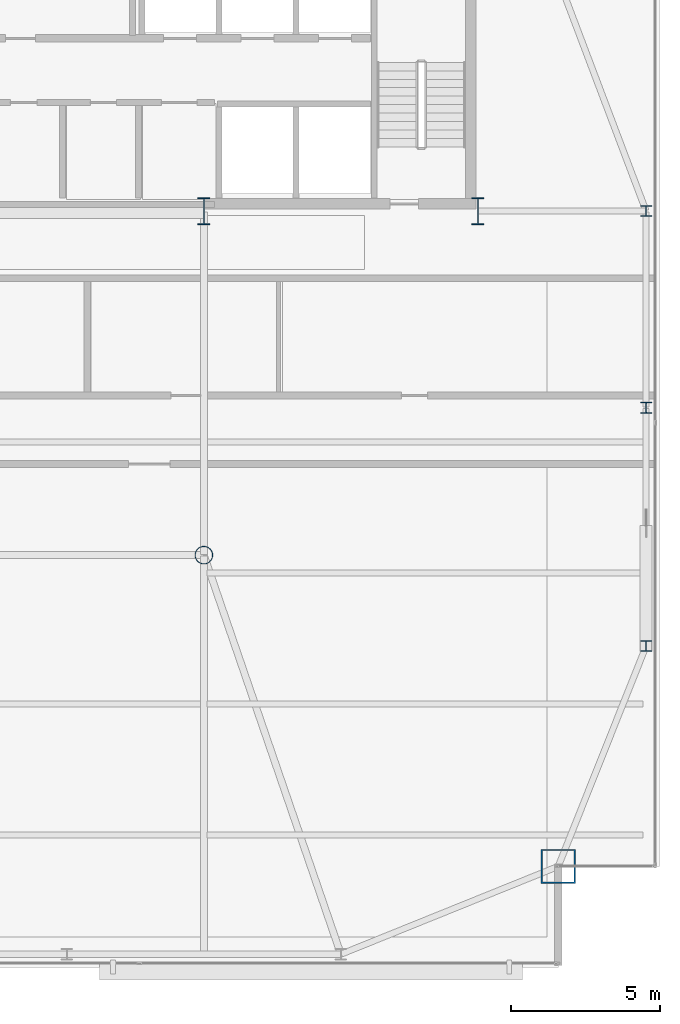
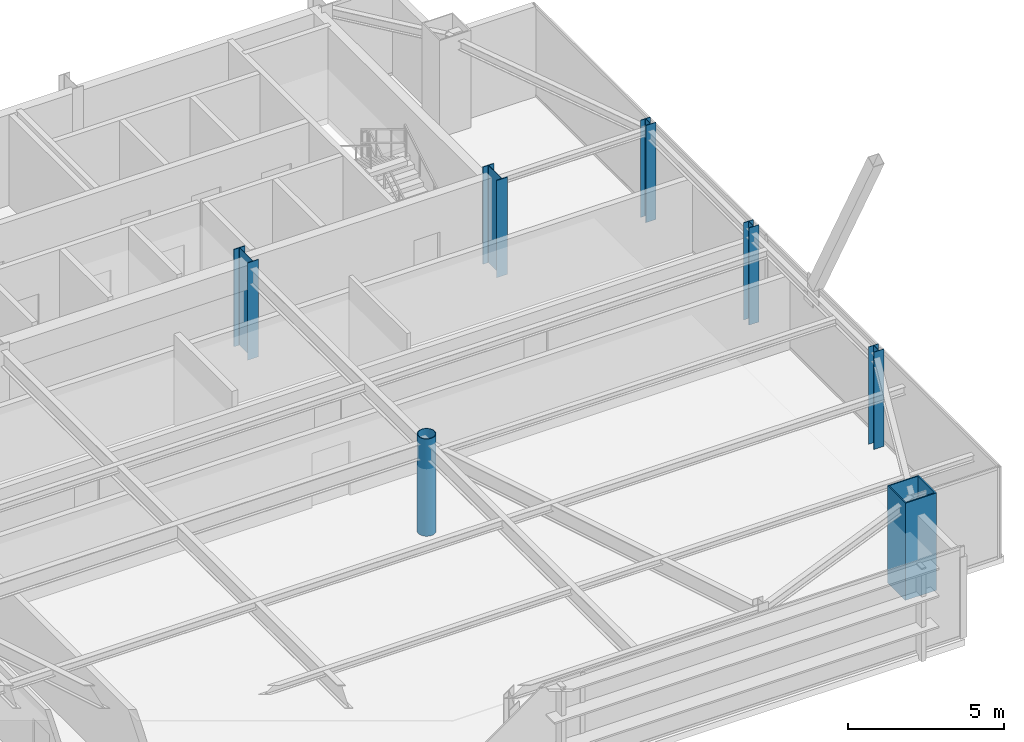
# One storey, part 2 of 26: 7 columns.
"""IFC4 building model written with IfcOpenShell, lengths in metres."""

from ifc_helpers import new_model, si_unit, direction, frame, origin, origin_2d, place, context, subcontext, project, spatial, hollow_rectangle, hollow_circle, i_section, extrude, source, transform, mapped, material, material_profile, profile_set, type_object, type_shapes, element, save


model = new_model("IFC4")

# Units and contexts
model_context = context("Model", 3, precision=1e-05, world=origin(), true_north=direction((0.0, 1.0)))
body_context = subcontext(model_context, "Body", "Model", "MODEL_VIEW")
ifc_project = project(units=[si_unit("LENGTHUNIT", "METRE"), si_unit("AREAUNIT", "SQUARE_METRE"), si_unit("VOLUMEUNIT", "CUBIC_METRE"), si_unit("PLANEANGLEUNIT", "RADIAN"), si_unit("MASSUNIT", "GRAM", prefix="KILO")], contexts=[model_context])

# Site, building, storey
site_placement = place(None, origin())
site = spatial("IfcSite", under=ifc_project, at=site_placement, CompositionType="ELEMENT")
building_placement = place(site_placement, origin())
building = spatial("IfcBuilding", under=site, at=building_placement, Name="Varnel Quay Broadcast Tower", CompositionType="ELEMENT")
storey_placement = place(building_placement, frame((0.0, 0.0, 218.800048828125)))
storey = spatial("IfcBuildingStorey", under=building, at=storey_placement, Name="L54", CompositionType="ELEMENT", Elevation=218.800048828125)

# Columns
ifc_material_1 = material(Name="Structural Steel CSA G40.21 350WT", Category="steel")
ifc_material_profile_1 = material_profile(ifc_material_1, i_section(OverallWidth=0.39990234375, OverallDepth=0.89990234375, WebThickness=0.01611328125, FlangeThickness=0.028076171875, FilletRadius=0.01611328125, at=origin_2d()), Name="WWF900X309")
ifc_profile_set_1 = profile_set([ifc_material_profile_1], Name="Structural Steel CSA G40.21 350WT")
column_type_1 = type_object("IfcColumnType", Name="Col_WWF900X309", PredefinedType="COLUMN", material=ifc_profile_set_1)
shared_shape_1 = source(origin(), body_context, "Body", "SweptSolid", [
    extrude(i_section(OverallWidth=0.39990234375, OverallDepth=0.89990234375, WebThickness=0.01611328125, FlangeThickness=0.028076171875, FilletRadius=0.01611328125, at=origin_2d()), origin(), (0.0, 0.0, 1.0), 3.800048828125),
])
type_shapes(column_type_1, [shared_shape_1])
for number, where, z_axis, x_axis, name in (
    (1, (43.199951171875, 35.60009765625, 0.0), (0.0, 0.0, 1.0), (1.0, 0.0, 0.0), "L54 Column CC-S4"),
    (2, (52.39990234375, 35.60009765625, 0.0), (0.0, 0.0, 1.0), (1.0, 0.0, 0.0), "L54 Column CC-S5"),
):
    element("IfcColumn", number, at=place(storey_placement, frame(where, z_axis=z_axis, x_axis=x_axis)), inside=storey, type_object=column_type_1, Name=name, PredefinedType="COLUMN", context=body_context, shape_type="MappedRepresentation", body=[
        mapped(shared_shape_1, transform((0.0, 0.0, 0.0), x_axis=(1.0, 0.0, 0.0), y_axis=(0.0, 1.0, 0.0), z_axis=(0.0, 0.0, 1.0), scale=1.0)),
    ])
ifc_material_profile_2 = material_profile(ifc_material_1, hollow_rectangle(XDim=1.14990234375, YDim=1.14990234375, WallThickness=0.044921875, at=origin_2d()), Name="BOX1150X1150X45")
ifc_profile_set_2 = profile_set([ifc_material_profile_2], Name="Structural Steel CSA G40.21 350WT")
column_type_2 = type_object("IfcColumnType", Name="Col_BOX1150X1150X45", PredefinedType="COLUMN", material=ifc_profile_set_2)
shared_shape_2 = source(origin(), body_context, "Body", "SweptSolid", [
    extrude(hollow_rectangle(XDim=1.14990234375, YDim=1.14990234375, WallThickness=0.044921875, at=origin_2d()), origin(), (0.0, 0.0, 1.0), 3.800048828125),
])
type_shapes(column_type_2, [shared_shape_2])
column_1_placement = place(storey_placement, frame((55.10009765625, 13.60009765625, 0.0), z_axis=(0.0, 0.0, 1.0), x_axis=(1.0, 0.0, 0.0)))
element("IfcColumn", 3, at=column_1_placement, inside=storey, type_object=column_type_2, Name="L54 Column MC-SE", PredefinedType="COLUMN", context=body_context, shape_type="MappedRepresentation", body=[
    mapped(shared_shape_2, transform((0.0, 0.0, 0.0), x_axis=(1.0, 0.0, 0.0), y_axis=(0.0, 1.0, 0.0), z_axis=(0.0, 0.0, 1.0), scale=1.0)),
])
ifc_material_2 = material(Name="Structural Steel CSA G40.21 350W", Category="steel")
ifc_material_profile_3 = material_profile(ifc_material_2, i_section(OverallWidth=0.368896484375, OverallDepth=0.35595703125, WebThickness=0.01123046875, FlangeThickness=0.01806640625, FilletRadius=0.01611328125, at=origin_2d()), Name="W360X134")
ifc_profile_set_3 = profile_set([ifc_material_profile_3], Name="Structural Steel CSA G40.21 350W")
column_type_3 = type_object("IfcColumnType", Name="Col_W360X134", PredefinedType="COLUMN", material=ifc_profile_set_3)
shared_shape_3 = source(origin(), body_context, "Body", "SweptSolid", [
    extrude(i_section(OverallWidth=0.368896484375, OverallDepth=0.35595703125, WebThickness=0.01123046875, FlangeThickness=0.01806640625, FilletRadius=0.01611328125, at=origin_2d()), origin(), (0.0, 0.0, 1.0), 3.800048828125),
])
type_shapes(column_type_3, [shared_shape_3])
for number, where, z_axis, x_axis, name in (
    (4, (58.050048828125, 21.0, 0.0), (0.0, 0.0, 1.0), (1.0, 0.0, 0.0), "L54 Column TC-E1"),
    (5, (58.050048828125, 29.0, 0.0), (0.0, 0.0, 1.0), (1.0, 0.0, 0.0), "L54 Column TC-E2"),
    (6, (58.050048828125, 35.60009765625, 0.0), (0.0, 0.0, 1.0), (1.0, 0.0, 0.0), "L54 Column TC-E3"),
):
    element("IfcColumn", number, at=place(storey_placement, frame(where, z_axis=z_axis, x_axis=x_axis)), inside=storey, type_object=column_type_3, Name=name, PredefinedType="COLUMN", context=body_context, shape_type="MappedRepresentation", body=[
        mapped(shared_shape_3, transform((0.0, 0.0, 0.0), x_axis=(1.0, 0.0, 0.0), y_axis=(0.0, 1.0, 0.0), z_axis=(0.0, 0.0, 1.0), scale=1.0)),
    ])
ifc_material_profile_4 = material_profile(ifc_material_2, hollow_circle(Radius=0.304931640625, WallThickness=0.02490234375, at=origin_2d()), Name="CHS610X25")
ifc_profile_set_4 = profile_set([ifc_material_profile_4], Name="Structural Steel CSA G40.21 350W")
column_type_4 = type_object("IfcColumnType", Name="Col_CHS610X25", PredefinedType="COLUMN", material=ifc_profile_set_4)
shared_shape_4 = source(origin(), body_context, "Body", "SweptSolid", [
    extrude(hollow_circle(Radius=0.304931640625, WallThickness=0.02490234375, at=origin_2d()), origin(), (0.0, 0.0, 1.0), 3.800048828125),
])
type_shapes(column_type_4, [shared_shape_4])
column_2_placement = place(storey_placement, frame((43.199951171875, 24.050048828125, 0.0), z_axis=(0.0, 0.0, 1.0), x_axis=(1.0, 0.0, 0.0)))
element("IfcColumn", 7, at=column_2_placement, inside=storey, type_object=column_type_4, Name="L54 Column IC-02", PredefinedType="COLUMN", context=body_context, shape_type="MappedRepresentation", body=[
    mapped(shared_shape_4, transform((0.0, 0.0, 0.0), x_axis=(1.0, 0.0, 0.0), y_axis=(0.0, 1.0, 0.0), z_axis=(0.0, 0.0, 1.0), scale=1.0)),
])

save(model, "model.ifc")
